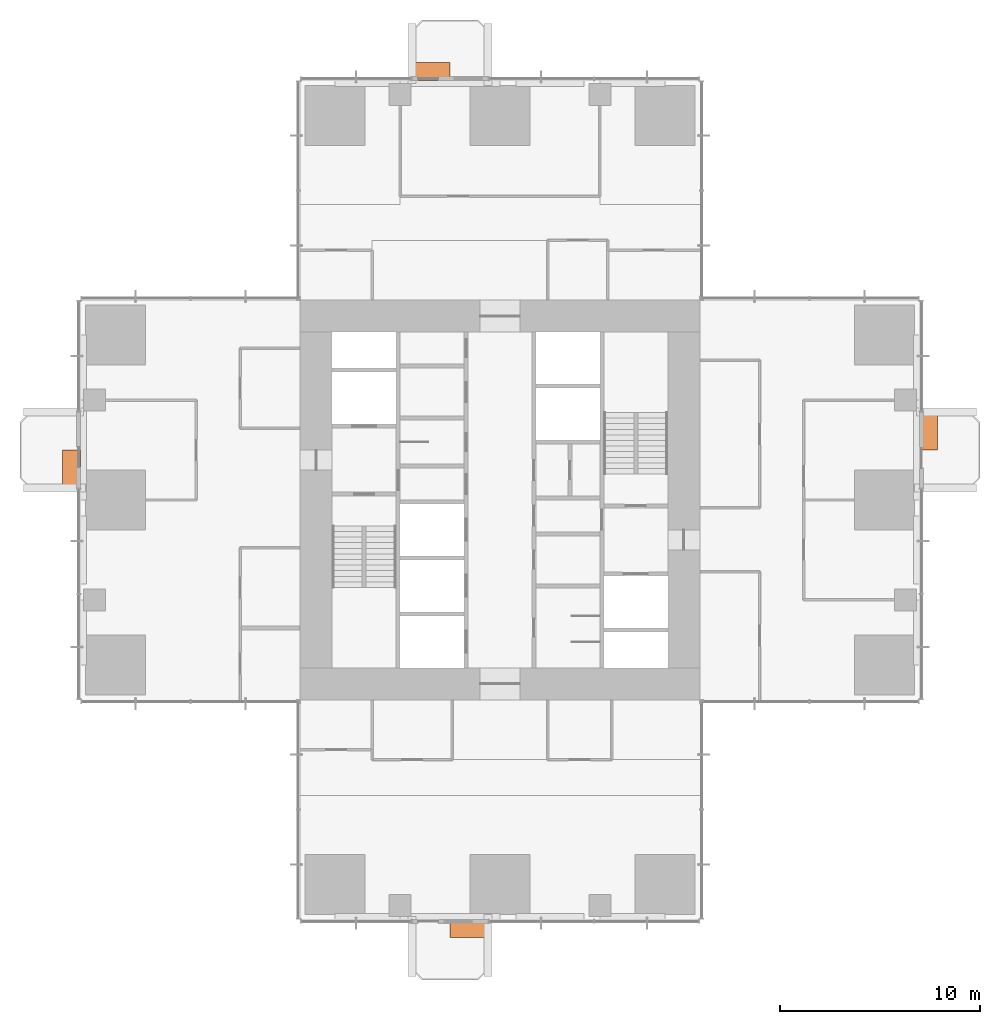
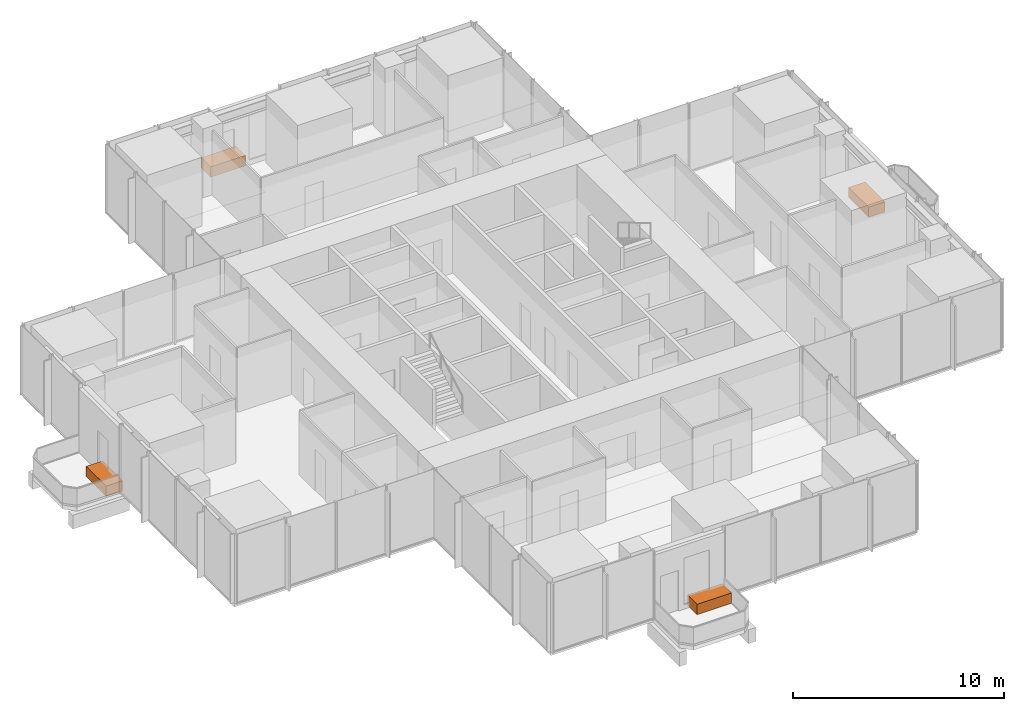
# One storey, part 13 of 13: 4 proxies.
"""IFC4 building model written with IfcOpenShell, lengths in metres."""

from ifc_helpers import new_model, si_unit, direction, frame, origin, origin_2d, place, context, subcontext, project, spatial, rectangle, extrude, element, save


model = new_model("IFC4")

# Units and contexts
model_context = context("Model", 3, precision=1e-05, world=origin(), true_north=direction((0.0, 1.0)))
body_context = subcontext(model_context, "Body", "Model", "MODEL_VIEW")
ifc_project = project(units=[si_unit("LENGTHUNIT", "METRE"), si_unit("AREAUNIT", "SQUARE_METRE"), si_unit("VOLUMEUNIT", "CUBIC_METRE"), si_unit("PLANEANGLEUNIT", "RADIAN"), si_unit("MASSUNIT", "GRAM", prefix="KILO")], contexts=[model_context])

# Site, building, storey
site_placement = place(None, origin())
site = spatial("IfcSite", under=ifc_project, at=site_placement, CompositionType="ELEMENT")
building_placement = place(site_placement, origin())
building = spatial("IfcBuilding", under=site, at=building_placement, Name="Svetlomir Tower", CompositionType="ELEMENT")
storey_placement = place(building_placement, frame((0.0, 0.0, 140.5)))
storey = spatial("IfcBuildingStorey", under=building, at=storey_placement, Name="L33", CompositionType="ELEMENT", Elevation=140.5)

# Proxies
proxy_1_placement = place(storey_placement, frame((19.449951171875, -0.449951171875, 0.0400390625), z_axis=(0.0, 0.0, 1.0), x_axis=(1.0, 0.0, 0.0)))
element("IfcBuildingElementProxy", 1, at=proxy_1_placement, inside=storey, Name="Tree planter S L33", ObjectType="PLANTER", PredefinedType="USERDEFINED", context=body_context, shape_type="SweptSolid", body=[
    extrude(rectangle(XDim=1.89990234375, YDim=0.89990234375, at=origin_2d()), origin(), (0.0, 0.0, 1.0), 0.60009765625),
])
proxy_2_placement = place(storey_placement, frame((42.449951171875, 24.449951171875, 0.0400390625), z_axis=(0.0, 0.0, 1.0), x_axis=(1.0, 0.0, 0.0)))
element("IfcBuildingElementProxy", 2, at=proxy_2_placement, inside=storey, Name="Tree planter E L33", ObjectType="PLANTER", PredefinedType="USERDEFINED", context=body_context, shape_type="SweptSolid", body=[
    extrude(rectangle(XDim=0.89990234375, YDim=1.89990234375, at=origin_2d()), origin(), (0.0, 0.0, 1.0), 0.60009765625),
])
proxy_3_placement = place(storey_placement, frame((17.550048828125, 42.449951171875, 0.0400390625), z_axis=(0.0, 0.0, 1.0), x_axis=(1.0, 0.0, 0.0)))
element("IfcBuildingElementProxy", 3, at=proxy_3_placement, inside=storey, Name="Tree planter N L33", ObjectType="PLANTER", PredefinedType="USERDEFINED", context=body_context, shape_type="SweptSolid", body=[
    extrude(rectangle(XDim=1.89990234375, YDim=0.89990234375, at=origin_2d()), origin(), (0.0, 0.0, 1.0), 0.60009765625),
])
proxy_4_placement = place(storey_placement, frame((-0.449951171875, 22.550048828125, 0.0400390625), z_axis=(0.0, 0.0, 1.0), x_axis=(1.0, 0.0, 0.0)))
element("IfcBuildingElementProxy", 4, at=proxy_4_placement, inside=storey, Name="Tree planter W L33", ObjectType="PLANTER", PredefinedType="USERDEFINED", context=body_context, shape_type="SweptSolid", body=[
    extrude(rectangle(XDim=0.89990234375, YDim=1.89990234375, at=origin_2d()), origin(), (0.0, 0.0, 1.0), 0.60009765625),
])

save(model, "model.ifc")
